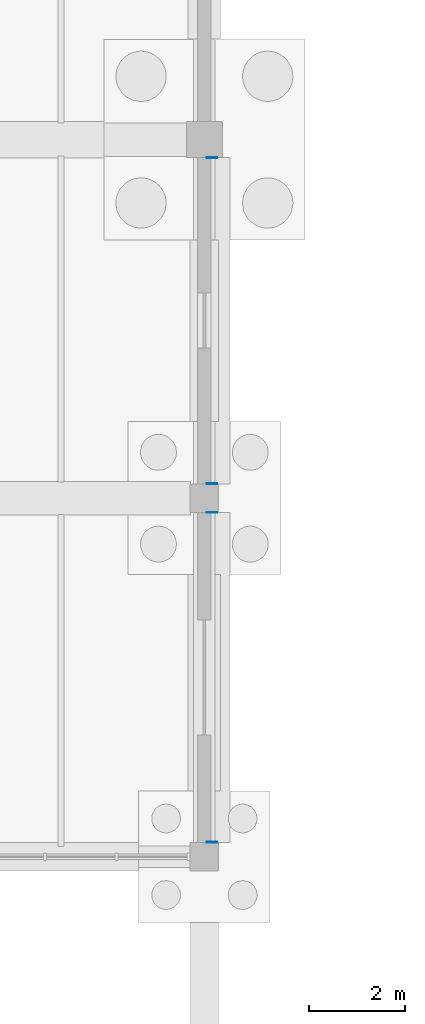
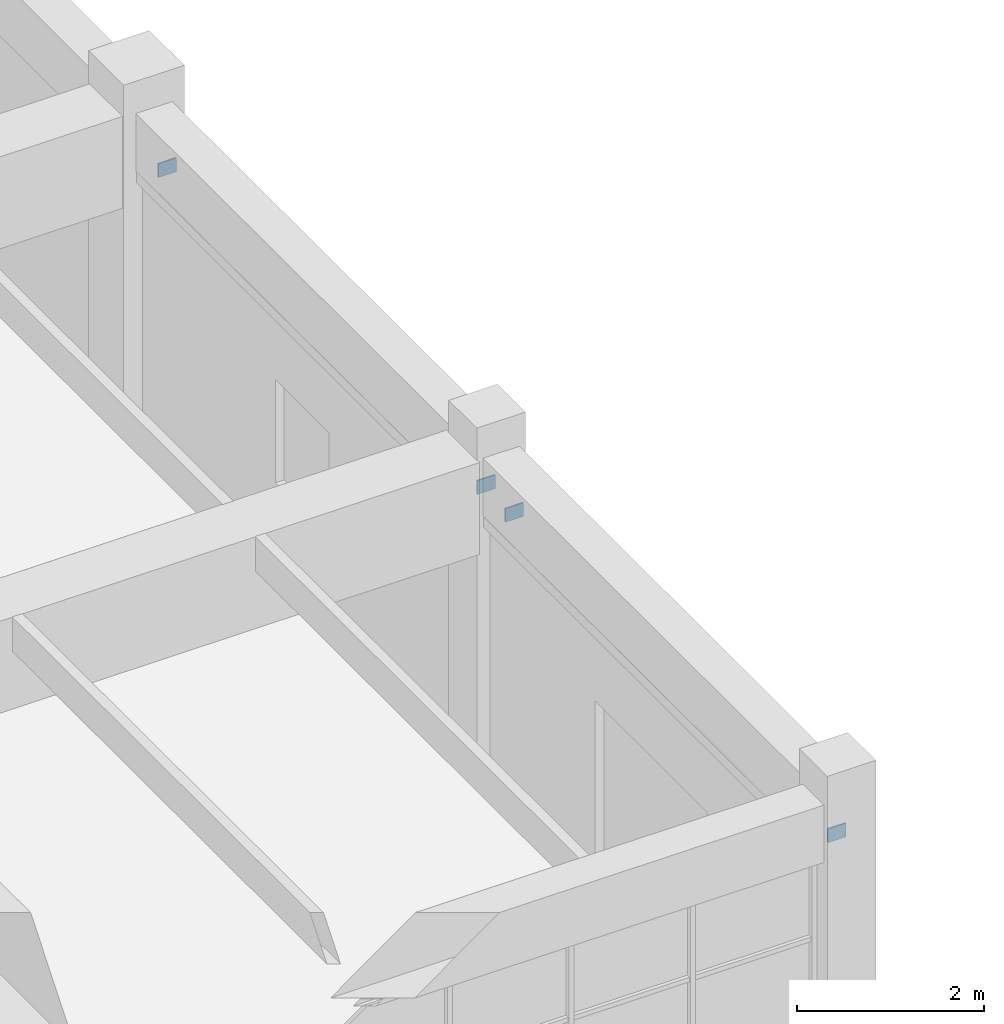
# One storey, part 63 of 93: 4 plates.
"""IFC4 building model written with IfcOpenShell, lengths in metres."""

from ifc_helpers import new_model, si_unit, direction, frame, origin, origin_2d, place, context, subcontext, project, spatial, rectangle, extrude, material, layer, layer_set, type_object, element, save


model = new_model("IFC4")

# Units and contexts
model_context = context("Model", 3, precision=1e-05, world=origin(), true_north=direction((0.0, 1.0)))
body_context = subcontext(model_context, "Body", "Model", "MODEL_VIEW")
ifc_project = project(units=[si_unit("LENGTHUNIT", "METRE"), si_unit("AREAUNIT", "SQUARE_METRE"), si_unit("VOLUMEUNIT", "CUBIC_METRE"), si_unit("PLANEANGLEUNIT", "RADIAN"), si_unit("MASSUNIT", "GRAM", prefix="KILO")], contexts=[model_context])

# Site, building, storey
site_placement = place(None, origin())
site = spatial("IfcSite", under=ifc_project, at=site_placement, CompositionType="ELEMENT")
building_placement = place(site_placement, origin())
building = spatial("IfcBuilding", under=site, at=building_placement, Name="Marnridge Secondary College", CompositionType="ELEMENT")
storey_placement = place(building_placement, origin())
storey = spatial("IfcBuildingStorey", under=building, at=storey_placement, Name="L00", CompositionType="ELEMENT", Elevation=0.0)

# Plates
ifc_material = material(Name="Structural steel plate Grade 350 (AS/NZS 3678, fy = 350 MPa <=12mm, 340 MPa 12-20mm, 330 MPa 20-50mm)", Category="steel")
ifc_layer = layer(ifc_material, 0.02392578125)
ifc_layer_set = layer_set([ifc_layer], Name="PT-GUS-GSN2")
plate_type = type_object("IfcPlateType", Name="PT-GUS-GSN2", PredefinedType="USERDEFINED", material=ifc_layer_set)
for number, where, z_axis, x_axis, name in (
    (1, (90.159912109375, 52.125, 3.15185546875), (0.0, 0.0, 1.0), (1.0, 0.0, 0.0), "Solar fin end bracket plate SFN-0001-BP1"),
    (2, (90.159912109375, 45.300048828125, 3.15185546875), (0.0, 0.0, 1.0), (1.0, 0.0, 0.0), "Solar fin end bracket plate SFN-0001-BP2"),
    (3, (90.159912109375, 44.699951171875, 3.15185546875), (0.0, 0.0, 1.0), (1.0, 0.0, 0.0), "Solar fin end bracket plate SFN-0002-BP1"),
    (4, (90.159912109375, 37.800048828125, 3.15185546875), (0.0, 0.0, 1.0), (1.0, 0.0, 0.0), "Solar fin end bracket plate SFN-0002-BP2"),
):
    element("IfcPlate", number, at=place(storey_placement, frame(where, z_axis=z_axis, x_axis=x_axis)), inside=storey, type_object=plate_type, Name=name, ObjectType="GUSSET PLATE", PredefinedType="USERDEFINED", context=body_context, shape_type="SweptSolid", body=[
        extrude(rectangle(XDim=0.219970703125, YDim=0.01806640625, at=origin_2d()), origin(), (0.0, 0.0, 1.0), 0.179931640625),
    ])

save(model, "model.ifc")
